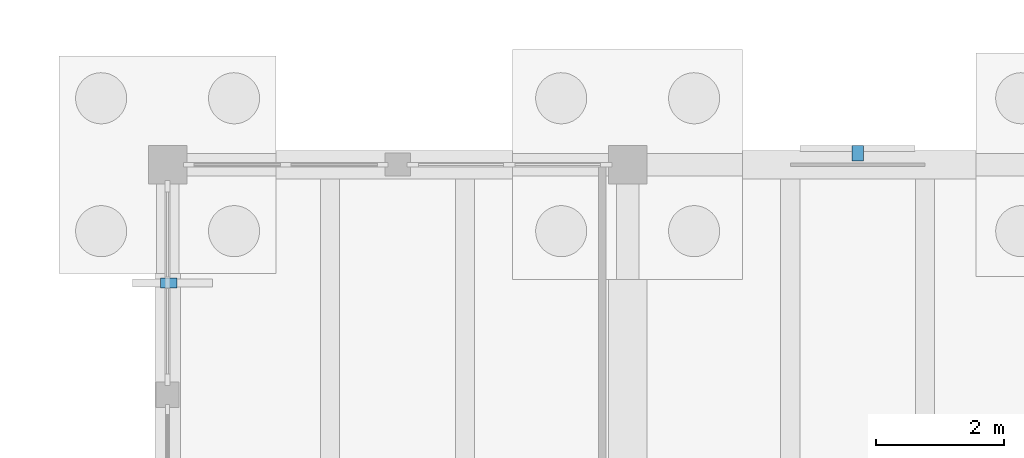
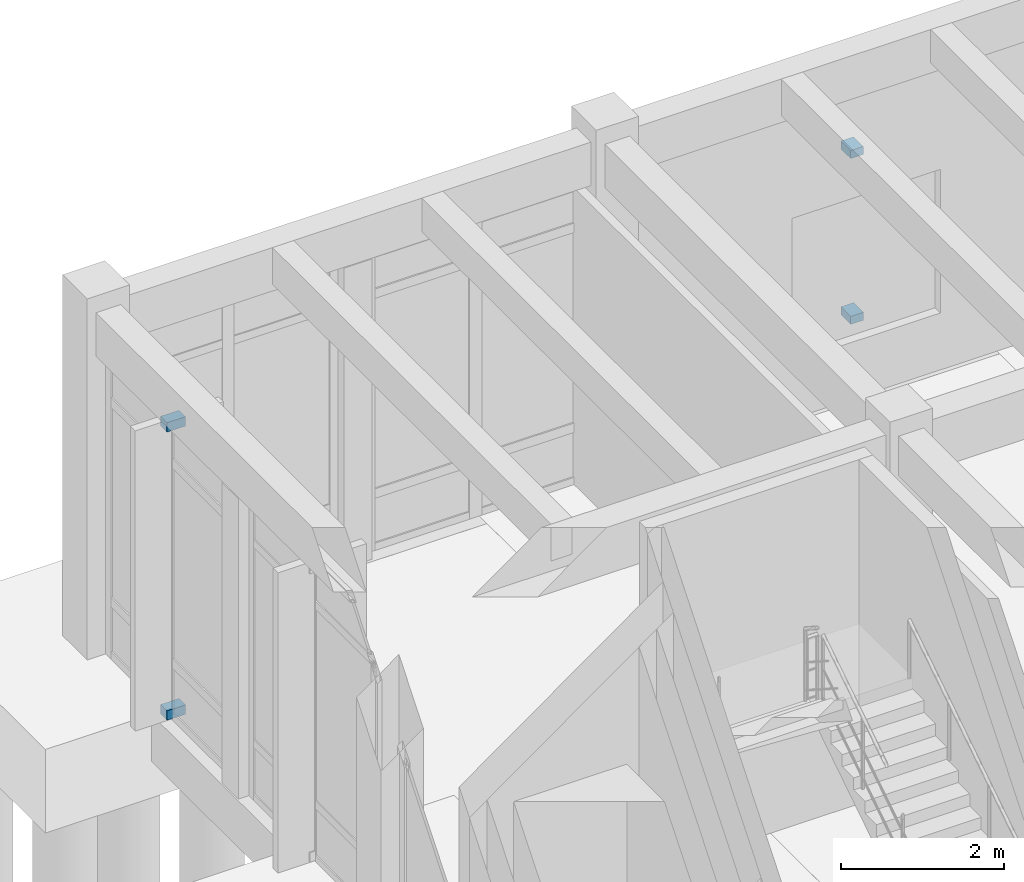
# One storey, part 80 of 93: 4 discrete accessories.
"""IFC4 building model written with IfcOpenShell, lengths in metres."""

from ifc_helpers import new_model, si_unit, direction, frame, origin, origin_2d, place, context, subcontext, project, spatial, rectangle, extrude, material, type_object, element, save


model = new_model("IFC4")

# Units and contexts
model_context = context("Model", 3, precision=1e-05, world=origin(), true_north=direction((0.0, 1.0)))
body_context = subcontext(model_context, "Body", "Model", "MODEL_VIEW")
ifc_project = project(units=[si_unit("LENGTHUNIT", "METRE"), si_unit("AREAUNIT", "SQUARE_METRE"), si_unit("VOLUMEUNIT", "CUBIC_METRE"), si_unit("PLANEANGLEUNIT", "RADIAN"), si_unit("MASSUNIT", "GRAM", prefix="KILO")], contexts=[model_context])

# Site, building, storey
site_placement = place(None, origin())
site = spatial("IfcSite", under=ifc_project, at=site_placement, CompositionType="ELEMENT")
building_placement = place(site_placement, origin())
building = spatial("IfcBuilding", under=site, at=building_placement, Name="Koriwan Promenade Central Fire Station", CompositionType="ELEMENT")
storey_placement = place(building_placement, origin())
storey = spatial("IfcBuildingStorey", under=building, at=storey_placement, Name="L00", CompositionType="ELEMENT", Elevation=0.0)

# Discrete accessories
ifc_material = material(Name="Steel ASTM A572 Grade 50", Category="steel")
discrete_accessory_type_1 = type_object("IfcDiscreteAccessoryType", Name="FacadeBracket_Fin", PredefinedType="BRACKET", material=ifc_material)
for number, where, z_axis, x_axis, name in (
    (1, (28.820068359375, 70.14990234375, 0.02001953125), (0.0, 0.0, 1.0), (1.0, 0.0, 0.0), "Solar fin outrigger bracket 006-BOT"),
    (2, (28.820068359375, 70.14990234375, 4.330078125), (0.0, 0.0, 1.0), (1.0, 0.0, 0.0), "Solar fin outrigger bracket 006-TOP"),
):
    element("IfcDiscreteAccessory", number, at=place(storey_placement, frame(where, z_axis=z_axis, x_axis=x_axis)), inside=storey, type_object=discrete_accessory_type_1, Name=name, PredefinedType="BRACKET", context=body_context, shape_type="SweptSolid", body=[
        extrude(rectangle(XDim=0.260009765625, YDim=0.159912109375, at=origin_2d()), origin(), (0.0, 0.0, 1.0), 0.139892578125),
    ])
discrete_accessory_type_2 = type_object("IfcDiscreteAccessoryType", Name="FacadeBracket_Jali", PredefinedType="BRACKET", material=ifc_material)
for number, where, z_axis, x_axis, name in (
    (3, (39.60009765625, 72.179931640625, 0.94482421875), (0.0, 0.0, 1.0), (0.0, 1.0, 0.0), "Jali corbel bracket 008-B"),
    (4, (39.60009765625, 72.179931640625, 3.425048828125), (0.0, 0.0, 1.0), (0.0, 1.0, 0.0), "Jali corbel bracket 008-T"),
):
    element("IfcDiscreteAccessory", number, at=place(storey_placement, frame(where, z_axis=z_axis, x_axis=x_axis)), inside=storey, type_object=discrete_accessory_type_2, Name=name, PredefinedType="BRACKET", context=body_context, shape_type="SweptSolid", body=[
        extrude(rectangle(XDim=0.239990234375, YDim=0.179931640625, at=origin_2d()), origin(), (0.0, 0.0, 1.0), 0.1201171875),
    ])

save(model, "model.ifc")
